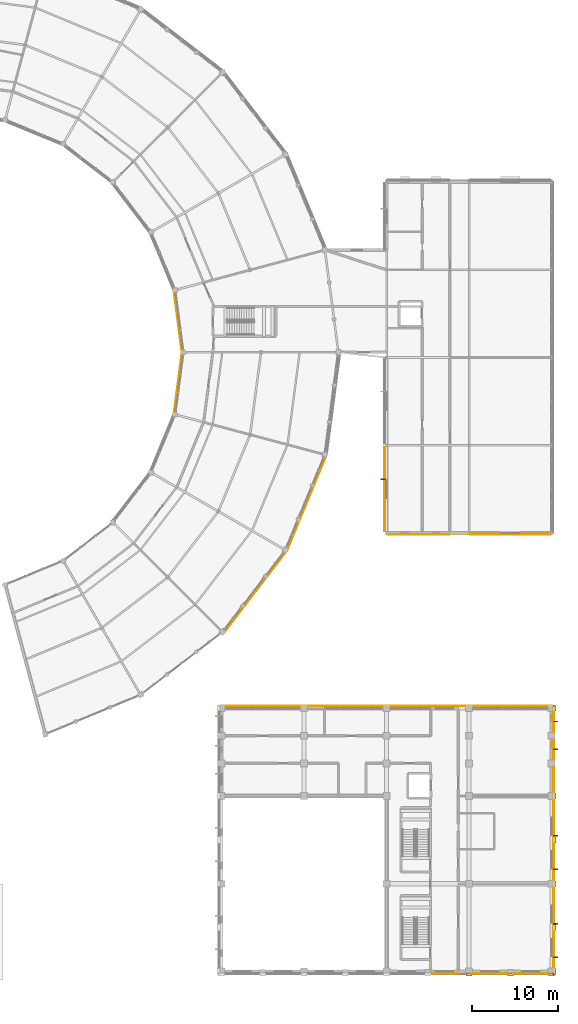
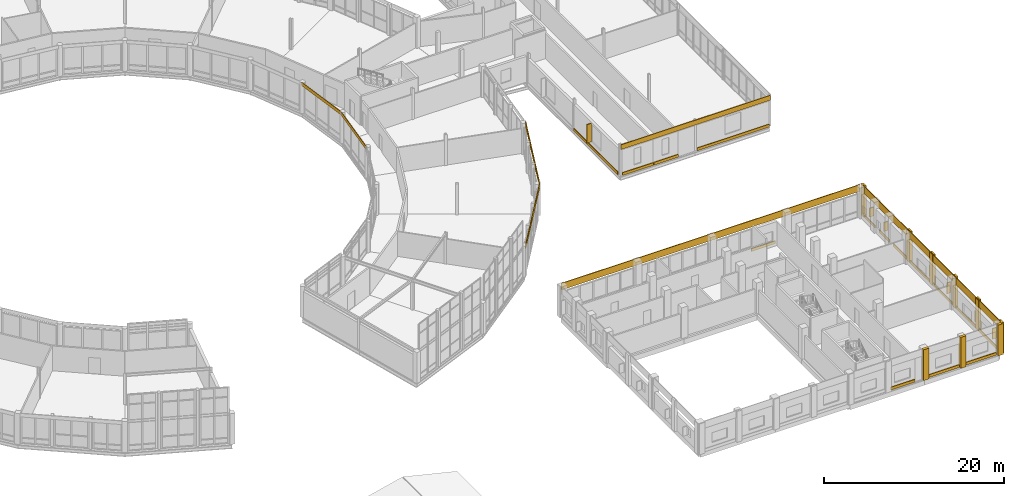
# One storey, part 168 of 170: 29 coverings, 7 shading devices.
"""IFC4 building model written with IfcOpenShell, lengths in metres."""

from ifc_helpers import new_model, si_unit, direction, frame, origin, origin_2d, place, context, subcontext, project, spatial, rectangle, extrude, material, layer, layer_set, type_object, element, save


model = new_model("IFC4")

# Units and contexts
model_context = context("Model", 3, precision=1e-05, world=origin(), true_north=direction((0.0, 1.0)))
body_context = subcontext(model_context, "Body", "Model", "MODEL_VIEW")
ifc_project = project(units=[si_unit("LENGTHUNIT", "METRE"), si_unit("AREAUNIT", "SQUARE_METRE"), si_unit("VOLUMEUNIT", "CUBIC_METRE"), si_unit("PLANEANGLEUNIT", "RADIAN"), si_unit("MASSUNIT", "GRAM", prefix="KILO")], contexts=[model_context])

# Site, building, storey
site_placement = place(None, origin())
site = spatial("IfcSite", under=ifc_project, at=site_placement, CompositionType="ELEMENT")
building_placement = place(site_placement, origin())
building = spatial("IfcBuilding", under=site, at=building_placement, Name="Vondelvale Polytechnic", CompositionType="ELEMENT")
storey_placement = place(building_placement, frame((0.0, 0.0, 5.39990234375)))
storey = spatial("IfcBuildingStorey", under=building, at=storey_placement, Name="L01", CompositionType="ELEMENT", Elevation=5.39990234375)

# Coverings
ifc_material_1 = material(Name="Amsterdam School iron-spot clinker clay brickwork", Category="masonry")
ifc_layer_1 = layer(ifc_material_1, 0.090087890625)
ifc_layer_set_1 = layer_set([ifc_layer_1], Name="COV-BRICK-RELIEF")
covering_type_1 = type_object("IfcCoveringType", Name="COV-BRICK-RELIEF", PredefinedType="CLADDING", material=ifc_layer_set_1)
covering_1_placement = place(storey_placement, frame((173.06494140625, 15.300048828125, 3.240234375), z_axis=(0.0, 0.0, 1.0), x_axis=(0.0, 1.0, 0.0)))
element("IfcCovering", 1, at=covering_1_placement, inside=storey, type_object=covering_type_1, Name="L01 exterior masonry spandrel band", PredefinedType="CLADDING", context=body_context, shape_type="SweptSolid", body=[
    extrude(rectangle(XDim=30.60009765625, YDim=0.090087890625, at=origin_2d()), origin(), (0.0, 0.0, 1.0), 0.9599609375),
])
covering_2_placement = place(storey_placement, frame((153.60009765625, 30.864990234375, 3.300048828125), z_axis=(0.0, 0.0, 1.0), x_axis=(1.0, 0.0, 0.0)))
element("IfcCovering", 2, at=covering_2_placement, inside=storey, type_object=covering_type_1, Name="L01 exterior masonry spandrel band", PredefinedType="CLADDING", context=body_context, shape_type="SweptSolid", body=[
    extrude(rectangle(XDim=38.39990234375, YDim=0.090087890625, at=origin_2d()), origin(), (0.0, 0.0, 1.0), 0.89990234375),
])
covering_3_placement = place(storey_placement, frame((160.3505859375, -0.23095703125, 0.000244140625), z_axis=(0.0, 0.0, 1.0), x_axis=(-1.0, 0.0, 0.0)))
element("IfcCovering", 3, at=covering_3_placement, inside=storey, type_object=covering_type_1, Name="L01 exterior corbelled masonry relief band", PredefinedType="CLADDING", context=body_context, shape_type="SweptSolid", body=[
    extrude(rectangle(XDim=3.138916015625, YDim=0.090087890625, at=origin_2d()), origin(), (0.0, 0.0, 1.0), 0.3798828125),
])
for number, where, z_axis, x_axis, name in (
    (4, (165.625, -0.23095703125, 0.000244140625), (0.0, 0.0, 1.0), (-1.0, 0.0, 0.0), "L01 exterior corbelled masonry relief band"),
    (5, (170.375, -0.23095703125, 0.000244140625), (0.0, 0.0, 1.0), (-1.0, 0.0, 0.0), "L01 exterior corbelled masonry relief band"),
):
    element("IfcCovering", number, at=place(storey_placement, frame(where, z_axis=z_axis, x_axis=x_axis)), inside=storey, type_object=covering_type_1, Name=name, PredefinedType="CLADDING", context=body_context, shape_type="SweptSolid", body=[
        extrude(rectangle(XDim=3.988037109375, YDim=0.090087890625, at=origin_2d()), origin(), (0.0, 0.0, 1.0), 0.3798828125),
    ])
for number, where, z_axis, x_axis, name in (
    (6, (173.031005859375, 5.10009765625, 0.000244140625), (0.0, 0.0, 1.0), (0.0, -1.0, 0.0), "L01 exterior corbelled masonry relief band"),
    (7, (173.031005859375, 15.300048828125, 0.000244140625), (0.0, 0.0, 1.0), (0.0, -1.0, 0.0), "L01 exterior corbelled masonry relief band"),
):
    element("IfcCovering", number, at=place(storey_placement, frame(where, z_axis=z_axis, x_axis=x_axis)), inside=storey, type_object=covering_type_1, Name=name, PredefinedType="CLADDING", context=body_context, shape_type="SweptSolid", body=[
        extrude(rectangle(XDim=9.337890625, YDim=0.090087890625, at=origin_2d()), origin(), (0.0, 0.0, 1.0), 0.3798828125),
    ])
for number, where, z_axis, x_axis, name in (
    (8, (173.031005859375, 29.0, 0.000244140625), (0.0, 0.0, 1.0), (0.0, -1.0, 0.0), "L01 exterior corbelled masonry relief band"),
    (9, (173.031005859375, 25.800048828125, 0.000244140625), (0.0, 0.0, 1.0), (0.0, -1.0, 0.0), "L01 exterior corbelled masonry relief band"),
):
    element("IfcCovering", number, at=place(storey_placement, frame(where, z_axis=z_axis, x_axis=x_axis)), inside=storey, type_object=covering_type_1, Name=name, PredefinedType="CLADDING", context=body_context, shape_type="SweptSolid", body=[
        extrude(rectangle(XDim=2.337890625, YDim=0.090087890625, at=origin_2d()), origin(), (0.0, 0.0, 1.0), 0.3798828125),
    ])
covering_4_placement = place(storey_placement, frame((173.031005859375, 22.300048828125, 0.000244140625), z_axis=(0.0, 0.0, 1.0), x_axis=(0.0, -1.0, 0.0)))
element("IfcCovering", 10, at=covering_4_placement, inside=storey, type_object=covering_type_1, Name="L01 exterior corbelled masonry relief band", PredefinedType="CLADDING", context=body_context, shape_type="SweptSolid", body=[
    extrude(rectangle(XDim=2.93798828125, YDim=0.090087890625, at=origin_2d()), origin(), (0.0, 0.0, 1.0), 0.3798828125),
])
covering_5_placement = place(storey_placement, frame((160.35009765625, 30.8310546875, 0.000244140625), z_axis=(0.0, 0.0, 1.0), x_axis=(1.0, 0.0, 0.0)))
element("IfcCovering", 11, at=covering_5_placement, inside=storey, type_object=covering_type_1, Name="L01 exterior corbelled masonry relief band", PredefinedType="CLADDING", context=body_context, shape_type="SweptSolid", body=[
    extrude(rectangle(XDim=3.139892578125, YDim=0.090087890625, at=origin_2d()), origin(), (0.0, 0.0, 1.0), 0.3798828125),
])
covering_6_placement = place(storey_placement, frame((163.199951171875, 50.863037109375, 3.550048828125), z_axis=(0.0, 0.0, 1.0), x_axis=(1.0, 0.0, 0.0)))
element("IfcCovering", 12, at=covering_6_placement, inside=storey, type_object=covering_type_1, Name="L01 exterior masonry spandrel band", PredefinedType="CLADDING", context=body_context, shape_type="SweptSolid", body=[
    extrude(rectangle(XDim=19.199951171875, YDim=0.090087890625, at=origin_2d()), origin(), (0.0, 0.0, 1.0), 0.64990234375),
])
covering_7_placement = place(storey_placement, frame((155.740478515625, 50.799072265625, 0.000244140625), z_axis=(0.0, 0.0, 1.0), x_axis=(-1.0, 0.0, 0.0)))
element("IfcCovering", 13, at=covering_7_placement, inside=storey, type_object=covering_type_1, Name="L01 exterior corbelled masonry relief band", PredefinedType="CLADDING", context=body_context, shape_type="SweptSolid", body=[
    extrude(rectangle(XDim=3.958984375, YDim=0.090087890625, at=origin_2d()), origin(), (0.0, 0.0, 1.0), 0.3798828125),
])
covering_8_placement = place(storey_placement, frame((159.35009765625, 50.799072265625, 0.000244140625), z_axis=(0.0, 0.0, 1.0), x_axis=(-1.0, 0.0, 0.0)))
element("IfcCovering", 14, at=covering_8_placement, inside=storey, type_object=covering_type_1, Name="L01 exterior corbelled masonry relief band", PredefinedType="CLADDING", context=body_context, shape_type="SweptSolid", body=[
    extrude(rectangle(XDim=3.139892578125, YDim=0.090087890625, at=origin_2d()), origin(), (0.0, 0.0, 1.0), 0.3798828125),
])
covering_9_placement = place(storey_placement, frame((168.0, 50.799072265625, 0.000244140625), z_axis=(0.0, 0.0, 1.0), x_axis=(-1.0, 0.0, 0.0)))
element("IfcCovering", 15, at=covering_9_placement, inside=storey, type_object=covering_type_1, Name="L01 exterior corbelled masonry relief band", PredefinedType="CLADDING", context=body_context, shape_type="SweptSolid", body=[
    extrude(rectangle(XDim=9.278076171875, YDim=0.090087890625, at=origin_2d()), origin(), (0.0, 0.0, 1.0), 0.3798828125),
])
covering_10_placement = place(storey_placement, frame((153.39892578125, 56.10009765625, 0.000244140625), z_axis=(0.0, 0.0, 1.0), x_axis=(0.0, 1.0, 0.0)))
element("IfcCovering", 16, at=covering_10_placement, inside=storey, type_object=covering_type_1, Name="L01 exterior corbelled masonry relief band", PredefinedType="CLADDING", context=body_context, shape_type="SweptSolid", body=[
    extrude(rectangle(XDim=9.8779296875, YDim=0.090087890625, at=origin_2d()), origin(), (0.0, 0.0, 1.0), 0.3798828125),
])
for number, where, z_axis, x_axis, name in (
    (17, (163.199951171875, -0.340087890625, 0.0), (0.0, 0.0, 1.0), (1.0, 0.0, 0.0), "L01 Lecture wing giant-order pilaster S"),
    (18, (168.0, -0.340087890625, 0.0), (0.0, 0.0, 1.0), (1.0, 0.0, 0.0), "L01 Lecture wing giant-order pilaster S"),
    (19, (172.800048828125, -0.340087890625, 0.0), (0.0, 0.0, 1.0), (1.0, 0.0, 0.0), "L01 Lecture wing giant-order pilaster S"),
):
    element("IfcCovering", number, at=place(storey_placement, frame(where, z_axis=z_axis, x_axis=x_axis)), inside=storey, type_object=covering_type_1, Name=name, PredefinedType="CLADDING", context=body_context, shape_type="SweptSolid", body=[
        extrude(rectangle(XDim=0.679931640625, YDim=0.360107421875, at=origin_2d()), origin(), (0.0, 0.0, 1.0), 4.199951171875),
    ])
for number, where, z_axis, x_axis, name in (
    (20, (173.139892578125, 0.0, 0.0), (0.0, 0.0, 1.0), (1.0, 0.0, 0.0), "L01 Lecture wing giant-order pilaster E"),
    (21, (173.139892578125, 5.10009765625, 0.0), (0.0, 0.0, 1.0), (1.0, 0.0, 0.0), "L01 Lecture wing giant-order pilaster E"),
    (22, (173.139892578125, 10.199951171875, 0.0), (0.0, 0.0, 1.0), (1.0, 0.0, 0.0), "L01 Lecture wing giant-order pilaster E"),
    (23, (173.139892578125, 15.300048828125, 0.0), (0.0, 0.0, 1.0), (1.0, 0.0, 0.0), "L01 Lecture wing giant-order pilaster E"),
    (24, (173.139892578125, 20.39990234375, 0.0), (0.0, 0.0, 1.0), (1.0, 0.0, 0.0), "L01 Lecture wing giant-order pilaster E"),
    (25, (173.139892578125, 30.60009765625, 0.0), (0.0, 0.0, 1.0), (1.0, 0.0, 0.0), "L01 Lecture wing giant-order pilaster E"),
):
    element("IfcCovering", number, at=place(storey_placement, frame(where, z_axis=z_axis, x_axis=x_axis)), inside=storey, type_object=covering_type_1, Name=name, PredefinedType="CLADDING", context=body_context, shape_type="SweptSolid", body=[
        extrude(rectangle(XDim=0.360107421875, YDim=0.679931640625, at=origin_2d()), origin(), (0.0, 0.0, 1.0), 4.199951171875),
    ])
ifc_material_2 = material(Name="Engineered Tasmanian oak studio and bridge joinery")
ifc_layer_2 = layer(ifc_material_2, 0.06494140625)
ifc_layer_set_2 = layer_set([ifc_layer_2], Name="COV-OAK-SPANDREL")
covering_type_2 = type_object("IfcCoveringType", Name="COV-OAK-SPANDREL", PredefinedType="CLADDING", material=ifc_layer_set_2)
covering_11_placement = place(storey_placement, frame((129.353515625, 75.60107421875, 3.75), z_axis=(0.0, 0.0, 1.0), x_axis=(-0.13052619222, 0.991444861374, 0.0)))
element("IfcCovering", 26, at=covering_11_placement, inside=storey, type_object=covering_type_2, Name="L01 exterior masonry spandrel band", PredefinedType="CLADDING", context=body_context, shape_type="SweptSolid", body=[
    extrude(rectangle(XDim=7.309326171875, YDim=0.06494140625, at=origin_2d()), origin(), (0.0, 0.0, 1.0), 0.449951171875),
])
for number, where, z_axis, x_axis, name in (
    (27, (138.34912109375, 44.1083984375, 3.72021484375), (0.0, 0.0, 1.0), (0.608761429009, 0.793353340291, 0.0), "L01 exterior masonry spandrel band"),
    (28, (144.32958984375, 54.466552734375, 3.72021484375), (0.0, 0.0, 1.0), (0.382683432365, 0.923879532511, 0.0), "L01 exterior masonry spandrel band"),
):
    element("IfcCovering", number, at=place(storey_placement, frame(where, z_axis=z_axis, x_axis=x_axis)), inside=storey, type_object=covering_type_2, Name=name, PredefinedType="CLADDING", context=body_context, shape_type="SweptSolid", body=[
        extrude(rectangle(XDim=12.00830078125, YDim=0.06494140625, at=origin_2d()), origin(), (0.0, 0.0, 1.0), 0.47998046875),
    ])
covering_12_placement = place(storey_placement, frame((129.353515625, 68.39892578125, 3.75), z_axis=(0.0, 0.0, 1.0), x_axis=(0.13052619222, 0.991444861374, 0.0)))
element("IfcCovering", 29, at=covering_12_placement, inside=storey, type_object=covering_type_2, Name="L01 exterior masonry spandrel band", PredefinedType="CLADDING", context=body_context, shape_type="SweptSolid", body=[
    extrude(rectangle(XDim=7.309326171875, YDim=0.06494140625, at=origin_2d()), origin(), (0.0, 0.0, 1.0), 0.449951171875),
])

# Shading devices
ifc_material_3 = material(Name="Kiln-fired architectural terracotta", Category="masonry")
shading_device_type = type_object("IfcShadingDeviceType", Name="SHD-TERRA-FIN-550", PredefinedType="JALOUSIE", material=ifc_material_3)
for number, where, z_axis, x_axis, name in (
    (30, (173.25, 1.660888671875, 0.7900390625), (0.0, 0.0, 1.0), (0.0, -1.0, 0.0), "L01 vertical terracotta solar fin"),
    (31, (173.25, 5.56103515625, 0.7900390625), (0.0, 0.0, 1.0), (0.0, -1.0, 0.0), "L01 vertical terracotta solar fin"),
    (32, (173.25, 11.861083984375, 0.7900390625), (0.0, 0.0, 1.0), (0.0, -1.0, 0.0), "L01 vertical terracotta solar fin"),
    (33, (173.25, 15.760986328125, 0.7900390625), (0.0, 0.0, 1.0), (0.0, -1.0, 0.0), "L01 vertical terracotta solar fin"),
):
    element("IfcShadingDevice", number, at=place(storey_placement, frame(where, z_axis=z_axis, x_axis=x_axis)), inside=storey, type_object=shading_device_type, Name=name, PredefinedType="JALOUSIE", context=body_context, shape_type="SweptSolid", body=[
        extrude(rectangle(XDim=0.110107421875, YDim=0.550048828125, at=origin_2d()), origin(), (0.0, 0.0, 1.0), 1.469970703125),
    ])
for number, where, z_axis, x_axis, name in (
    (34, (173.25, 29.06103515625, 0.7900390625), (0.0, 0.0, 1.0), (0.0, -1.0, 0.0), "L01 vertical terracotta solar fin"),
    (35, (173.25, 25.861083984375, 0.7900390625), (0.0, 0.0, 1.0), (0.0, -1.0, 0.0), "L01 vertical terracotta solar fin"),
):
    element("IfcShadingDevice", number, at=place(storey_placement, frame(where, z_axis=z_axis, x_axis=x_axis)), inside=storey, type_object=shading_device_type, Name=name, PredefinedType="JALOUSIE", context=body_context, shape_type="SweptSolid", body=[
        extrude(rectangle(XDim=0.110107421875, YDim=0.550048828125, at=origin_2d()), origin(), (0.0, 0.0, 1.0), 1.219970703125),
    ])
shading_device_placement = place(storey_placement, frame((153.179931640625, 57.239990234375, 0.7900390625), z_axis=(0.0, 0.0, 1.0), x_axis=(0.0, 1.0, 0.0)))
element("IfcShadingDevice", 36, at=shading_device_placement, inside=storey, type_object=shading_device_type, Name="L01 vertical terracotta solar fin", PredefinedType="JALOUSIE", context=body_context, shape_type="SweptSolid", body=[
    extrude(rectangle(XDim=0.110107421875, YDim=0.550048828125, at=origin_2d()), origin(), (0.0, 0.0, 1.0), 2.52001953125),
])

save(model, "model.ifc")
